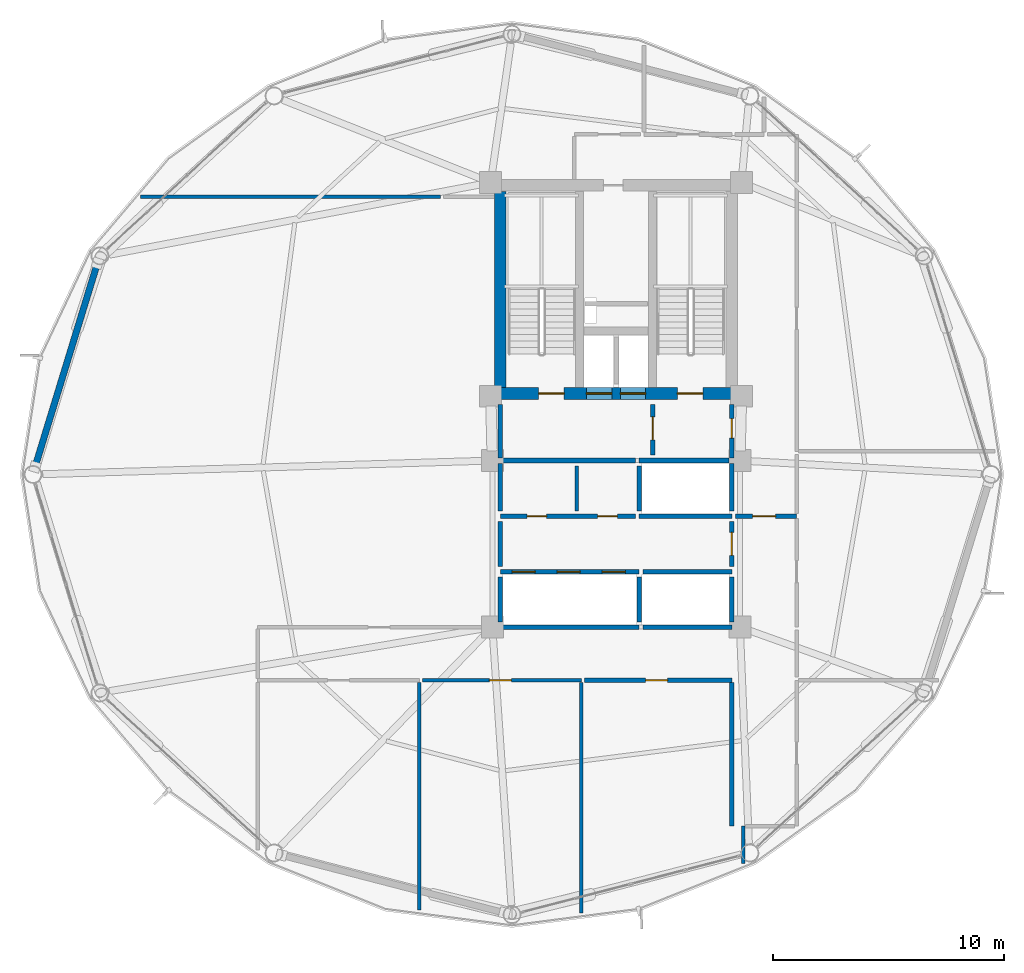
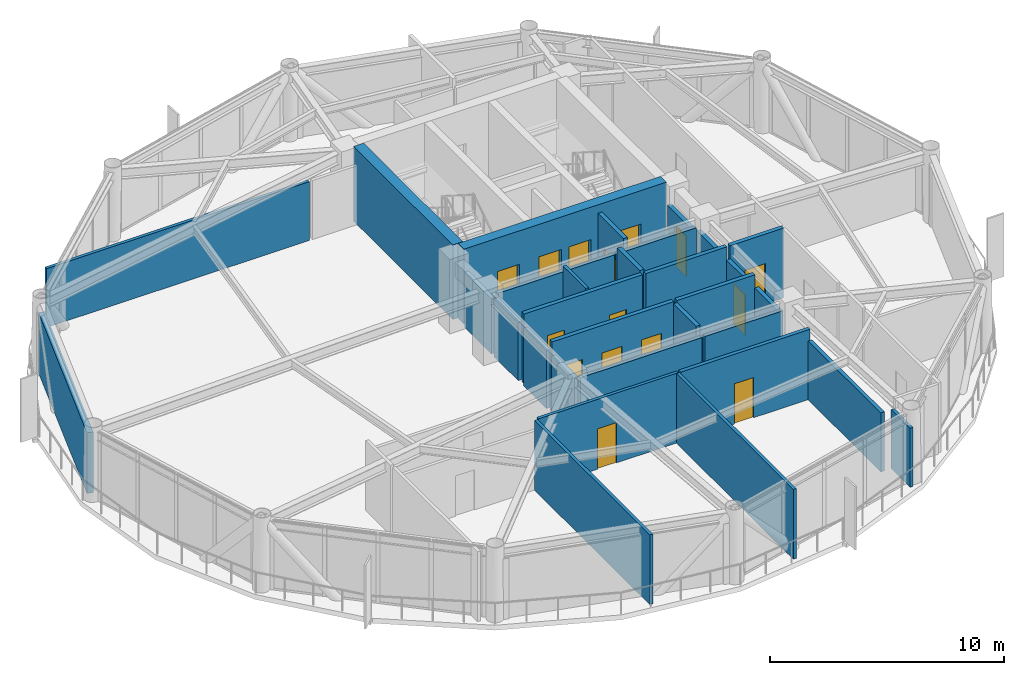
# One storey, part 22 of 26: 31 walls, 15 doors, 15 openings.
"""IFC4 building model written with IfcOpenShell, lengths in metres."""

from ifc_helpers import new_model, si_unit, direction, frame, frame_2d, origin, place, context, subcontext, project, spatial, rectangle, extrude, material, layer, layer_set, type_object, element, fill, save


model = new_model("IFC4")

# Units and contexts
model_context = context("Model", 3, precision=1e-05, world=origin(), true_north=direction((0.0, 1.0)))
body_context = subcontext(model_context, "Body", "Model", "MODEL_VIEW")
ifc_project = project(units=[si_unit("LENGTHUNIT", "METRE"), si_unit("AREAUNIT", "SQUARE_METRE"), si_unit("VOLUMEUNIT", "CUBIC_METRE"), si_unit("PLANEANGLEUNIT", "RADIAN"), si_unit("MASSUNIT", "GRAM", prefix="KILO")], contexts=[model_context])

# Site, building, storey
site_placement = place(None, origin())
site = spatial("IfcSite", under=ifc_project, at=site_placement, CompositionType="ELEMENT")
building_placement = place(site_placement, origin())
building = spatial("IfcBuilding", under=site, at=building_placement, Name="Varnakorn Sky Granary", CompositionType="ELEMENT")
storey_placement = place(building_placement, frame((0.0, 0.0, 153.89990234375)))
storey = spatial("IfcBuildingStorey", under=building, at=storey_placement, Name="L38", CompositionType="ELEMENT", Elevation=153.89990234375)

# Wall, openings, doors
ifc_material_1 = material(Name="Concrete C60/75", Category="concrete")
ifc_layer_1 = layer(ifc_material_1, 0.5, Name="Concrete C60/75")
ifc_layer_set_1 = layer_set([ifc_layer_1], Name="Concrete C60/75")
wall_type_1 = type_object("IfcWallType", Name="WT-CW-SHEAR-500", PredefinedType="SHEAR", material=ifc_layer_set_1)
wall_1_placement = place(storey_placement, frame((-2.0, 3.5, 0.0), z_axis=(0.0, 0.0, 1.0), x_axis=(1.0, 0.0, 0.0)))
wall_1 = element("IfcWall", 1, at=wall_1_placement, inside=storey, type_object=wall_type_1, Name="Core South Shear Wall L38", PredefinedType="SHEAR", context=body_context, shape_type="SweptSolid", body=[
    extrude(rectangle(XDim=10.0, YDim=0.5, at=frame_2d((5.0, 0.0))), origin(), (0.0, 0.0, 1.0), 3.89208984375),
])
opening_1_placement = place(wall_1_placement, frame((1.64990234375, 0.0, 0.0)))
opening_1 = element("IfcOpeningElement", 2, at=opening_1_placement, cuts=wall_1, Name="Opening FD-90", PredefinedType="OPENING", context=body_context, shape_type="SweptSolid", body=[
    extrude(rectangle(XDim=1.10009765625, YDim=2.14990234375, at=frame_2d((0.550048828125, 1.074951171875))), frame((0.0, 0.260009765625, 0.0), z_axis=(0.0, -1.0, 0.0), x_axis=(1.0, 0.0, 0.0)), (0.0, 0.0, 1.0), 0.52001953125),
])
opening_2_placement = place(wall_1_placement, frame((7.64990234375, 0.0, 0.0)))
opening_2 = element("IfcOpeningElement", 3, at=opening_2_placement, cuts=wall_1, Name="Opening FD-90", PredefinedType="OPENING", context=body_context, shape_type="SweptSolid", body=[
    extrude(rectangle(XDim=1.10009765625, YDim=2.14990234375, at=frame_2d((0.550048828125, 1.074951171875))), frame((0.0, 0.260009765625, 0.0), z_axis=(0.0, -1.0, 0.0), x_axis=(1.0, 0.0, 0.0)), (0.0, 0.0, 1.0), 0.52001953125),
])
opening_3_placement = place(wall_1_placement, frame((3.719970703125, 0.0, 0.0)))
opening_3 = element("IfcOpeningElement", 4, at=opening_3_placement, cuts=wall_1, Name="Opening LD-01", PredefinedType="OPENING", context=body_context, shape_type="SweptSolid", body=[
    extrude(rectangle(XDim=1.10009765625, YDim=2.199951171875, at=frame_2d((0.550048828125, 1.10009765625))), frame((0.0, 0.260009765625, 0.0), z_axis=(0.0, -1.0, 0.0), x_axis=(1.0, 0.0, 0.0)), (0.0, 0.0, 1.0), 0.52001953125),
])
opening_4_placement = place(wall_1_placement, frame((5.179931640625, 0.0, 0.0)))
opening_4 = element("IfcOpeningElement", 5, at=opening_4_placement, cuts=wall_1, Name="Opening LD-01", PredefinedType="OPENING", context=body_context, shape_type="SweptSolid", body=[
    extrude(rectangle(XDim=1.10009765625, YDim=2.199951171875, at=frame_2d((0.550048828125, 1.10009765625))), frame((0.0, 0.260009765625, 0.0), z_axis=(0.0, -1.0, 0.0), x_axis=(1.0, 0.0, 0.0)), (0.0, 0.0, 1.0), 0.52001953125),
])
ifc_material_2 = material(Name="Brushed Bronze Stainless Steel", Category="steel")
door_type_1 = type_object("IfcDoorType", Name="DR-LD-1100", OperationType="DOUBLE_DOOR_SLIDING", PredefinedType="DOOR", material=ifc_material_2)
door_1_placement = place(opening_3_placement, origin())
door_1 = element("IfcDoor", 6, at=door_1_placement, inside=storey, type_object=door_type_1, Name="Firefighting Lift FFL-1 Landing Door L38", OperationType="DOUBLE_DOOR_SLIDING", OverallHeight=2.199951171875, OverallWidth=1.10009765625, PredefinedType="DOOR", context=body_context, shape_type="SweptSolid", body=[
    extrude(rectangle(XDim=1.10009765625, YDim=2.199951171875, at=frame_2d((0.550048828125, 1.10009765625))), frame((0.0, 0.02490234375, 0.0), z_axis=(0.0, -1.0, 0.0), x_axis=(1.0, 0.0, 0.0)), (0.0, 0.0, 1.0), 0.050048828125),
])
fill(opening_3, door_1)
door_2_placement = place(opening_4_placement, origin())
door_2 = element("IfcDoor", 7, at=door_2_placement, inside=storey, type_object=door_type_1, Name="Firefighting Lift FFL-2 Landing Door L38", OperationType="DOUBLE_DOOR_SLIDING", OverallHeight=2.199951171875, OverallWidth=1.10009765625, PredefinedType="DOOR", context=body_context, shape_type="SweptSolid", body=[
    extrude(rectangle(XDim=1.10009765625, YDim=2.199951171875, at=frame_2d((0.550048828125, 1.10009765625))), frame((0.0, 0.02490234375, 0.0), z_axis=(0.0, -1.0, 0.0), x_axis=(1.0, 0.0, 0.0)), (0.0, 0.0, 1.0), 0.050048828125),
])
fill(opening_4, door_2)
ifc_material_3 = material(Name="Galvanised Painted Steel Leaf", Category="steel")
door_type_2 = type_object("IfcDoorType", Name="DR-STAIR-1100", OperationType="NOTDEFINED", PredefinedType="DOOR", material=ifc_material_3)
door_3_placement = place(opening_1_placement, origin())
door_3 = element("IfcDoor", 8, at=door_3_placement, inside=storey, type_object=door_type_2, Name="Stair ST-1 Protected Fire Door L38", OperationType="SINGLE_SWING_LEFT", OverallHeight=2.14990234375, OverallWidth=1.10009765625, PredefinedType="DOOR", context=body_context, shape_type="SweptSolid", body=[
    extrude(rectangle(XDim=1.10009765625, YDim=2.14990234375, at=frame_2d((0.550048828125, 1.074951171875))), frame((0.0, 0.02490234375, 0.0), z_axis=(0.0, -1.0, 0.0), x_axis=(1.0, 0.0, 0.0)), (0.0, 0.0, 1.0), 0.050048828125),
])
fill(opening_1, door_3)
door_4_placement = place(opening_2_placement, origin())
door_4 = element("IfcDoor", 9, at=door_4_placement, inside=storey, type_object=door_type_2, Name="Stair ST-2 Protected Fire Door L38", OperationType="SINGLE_SWING_RIGHT", OverallHeight=2.14990234375, OverallWidth=1.10009765625, PredefinedType="DOOR", context=body_context, shape_type="SweptSolid", body=[
    extrude(rectangle(XDim=1.10009765625, YDim=2.14990234375, at=frame_2d((0.550048828125, 1.074951171875))), frame((0.0, 0.02490234375, 0.0), z_axis=(0.0, -1.0, 0.0), x_axis=(1.0, 0.0, 0.0)), (0.0, 0.0, 1.0), 0.050048828125),
])
fill(opening_2, door_4)

# Walls
wall_2_placement = place(storey_placement, frame((-2.0, 3.760009765625, 0.0), z_axis=(0.0, 0.0, 1.0), x_axis=(0.0, 1.0, 0.0)))
element("IfcWall", 10, at=wall_2_placement, inside=storey, type_object=wall_type_1, Name="Core West Shear Wall L38", PredefinedType="SHEAR", context=body_context, shape_type="SweptSolid", body=[
    extrude(rectangle(XDim=8.47998046875, YDim=0.5, at=frame_2d((4.239990234375, 0.0))), origin(), (0.0, 0.0, 1.0), 3.89208984375),
])
ifc_material_4 = material(Name="Precast concrete C40/50", Category="concrete")
ifc_layer_2 = layer(ifc_material_4, 0.280029296875, Name="Precast concrete C40/50")
ifc_layer_set_2 = layer_set([ifc_layer_2], Name="Precast concrete C40/50")
wall_type_2 = type_object("IfcWallType", Name="WT-EW-CRN-280", PredefinedType="SOLIDWALL", material=ifc_layer_set_2)
wall_3_placement = place(storey_placement, frame((-22.11865234375, 0.3212890625, 0.0), z_axis=(0.0, 0.0, 1.0), x_axis=(0.292606970672, 0.956232796297, 0.0)))
element("IfcWall", 11, at=wall_3_placement, inside=storey, type_object=wall_type_2, Name="Agritech Insulated Precast Facade Wall L38-P06", PredefinedType="SOLIDWALL", context=body_context, shape_type="SweptSolid", body=[
    extrude(rectangle(XDim=9.213134765625, YDim=0.280029296875, at=frame_2d((4.6064453125, 0.0))), origin(), (0.0, 0.0, 1.0), 3.16015625),
])

# Wall, opening, door
ifc_material_5 = material(Name="Autoclaved Aerated Concrete Blockwork", Category="masonry")
ifc_layer_3 = layer(ifc_material_5, 0.199951171875, Name="Autoclaved Aerated Concrete Blockwork")
ifc_layer_set_3 = layer_set([ifc_layer_3], Name="Autoclaved Aerated Concrete Blockwork")
wall_type_3 = type_object("IfcWallType", Name="WT-FIRE-200", PredefinedType="MOVABLE", material=ifc_layer_set_3)
wall_4_placement = place(storey_placement, frame((4.580078125, 0.830078125, 0.0), z_axis=(0.0, 0.0, 1.0), x_axis=(0.0, 1.0, 0.0)))
wall_4 = element("IfcWall", 12, at=wall_4_placement, inside=storey, type_object=wall_type_3, Name="Interior Partition Wall L38-014", PredefinedType="MOVABLE", context=body_context, shape_type="SweptSolid", body=[
    extrude(rectangle(XDim=2.18994140625, YDim=0.199951171875, at=frame_2d((1.094970703125, 0.0))), origin(), (0.0, 0.0, 1.0), 3.64013671875),
])
opening_5_placement = place(wall_4_placement, frame((0.659912109375, 0.0, 0.0)))
opening_5 = element("IfcOpeningElement", 13, at=opening_5_placement, cuts=wall_4, Name="Opening FD-60", PredefinedType="OPENING", context=body_context, shape_type="SweptSolid", body=[
    extrude(rectangle(XDim=1.0, YDim=2.10009765625, at=frame_2d((0.5, 1.050048828125))), frame((0.0, 0.10986328125, 0.0), z_axis=(0.0, -1.0, 0.0), x_axis=(1.0, 0.0, 0.0)), (0.0, 0.0, 1.0), 0.219970703125),
])
ifc_material_6 = material(Name="Acoustic Timber Fire Leaf", Category="wood")
door_type_3 = type_object("IfcDoorType", Name="DR-FD60-1000", OperationType="NOTDEFINED", PredefinedType="DOOR", material=ifc_material_6)
door_5_placement = place(opening_5_placement, origin())
door_5 = element("IfcDoor", 14, at=door_5_placement, inside=storey, type_object=door_type_3, Name="Interior Door L38-014-1", OperationType="SINGLE_SWING_LEFT", OverallHeight=2.10009765625, OverallWidth=1.0, PredefinedType="DOOR", context=body_context, shape_type="SweptSolid", body=[
    extrude(rectangle(XDim=1.0, YDim=2.10009765625, at=frame_2d((0.5, 1.050048828125))), frame((0.0, 0.02490234375, 0.0), z_axis=(0.0, -1.0, 0.0), x_axis=(1.0, 0.0, 0.0)), (0.0, 0.0, 1.0), 0.050048828125),
])
fill(opening_5, door_5)

wall_5_placement = place(storey_placement, frame((8.0, 0.719970703125, 0.0), z_axis=(0.0, 0.0, 1.0), x_axis=(0.0, 1.0, 0.0)))
wall_5 = element("IfcWall", 15, at=wall_5_placement, inside=storey, type_object=wall_type_3, Name="Interior Partition Wall L38-015", PredefinedType="MOVABLE", context=body_context, shape_type="SweptSolid", body=[
    extrude(rectangle(XDim=2.300048828125, YDim=0.199951171875, at=frame_2d((1.14990234375, 0.0))), origin(), (0.0, 0.0, 1.0), 2.8720703125),
])
opening_6_placement = place(wall_5_placement, frame((0.844970703125, 0.0, 0.0)))
opening_6 = element("IfcOpeningElement", 16, at=opening_6_placement, cuts=wall_5, Name="Opening FD-60N", PredefinedType="OPENING", context=body_context, shape_type="SweptSolid", body=[
    extrude(rectangle(XDim=0.85009765625, YDim=2.10009765625, at=frame_2d((0.425048828125, 1.050048828125))), frame((0.0, 0.10986328125, 0.0), z_axis=(0.0, -1.0, 0.0), x_axis=(1.0, 0.0, 0.0)), (0.0, 0.0, 1.0), 0.219970703125),
])
door_type_4 = type_object("IfcDoorType", Name="DR-FD60-850", OperationType="NOTDEFINED", PredefinedType="DOOR", material=ifc_material_6)
door_6_placement = place(opening_6_placement, origin())
door_6 = element("IfcDoor", 17, at=door_6_placement, inside=storey, type_object=door_type_4, Name="Interior Door L38-015-1", OperationType="SINGLE_SWING_RIGHT", OverallHeight=2.10009765625, OverallWidth=0.85009765625, PredefinedType="DOOR", context=body_context, shape_type="SweptSolid", body=[
    extrude(rectangle(XDim=0.85009765625, YDim=2.10009765625, at=frame_2d((0.425048828125, 1.050048828125))), frame((0.0, 0.02490234375, 0.0), z_axis=(0.0, -1.0, 0.0), x_axis=(1.0, 0.0, 0.0)), (0.0, 0.0, 1.0), 0.050048828125),
])
fill(opening_6, door_6)

wall_6_placement = place(storey_placement, frame((8.0, -3.969970703125, 0.0), z_axis=(0.0, 0.0, 1.0), x_axis=(0.0, 1.0, 0.0)))
wall_6 = element("IfcWall", 18, at=wall_6_placement, inside=storey, type_object=wall_type_3, Name="Interior Partition Wall L38-016", PredefinedType="MOVABLE", context=body_context, shape_type="SweptSolid", body=[
    extrude(rectangle(XDim=1.93994140625, YDim=0.199951171875, at=frame_2d((0.969970703125, 0.0))), origin(), (0.0, 0.0, 1.0), 3.072021484375),
])
opening_7_placement = place(wall_6_placement, frame((0.469970703125, 0.0, 0.0)))
opening_7 = element("IfcOpeningElement", 19, at=opening_7_placement, cuts=wall_6, Name="Opening FD-60", PredefinedType="OPENING", context=body_context, shape_type="SweptSolid", body=[
    extrude(rectangle(XDim=1.0, YDim=2.10009765625, at=frame_2d((0.5, 1.050048828125))), frame((0.0, 0.10986328125, 0.0), z_axis=(0.0, -1.0, 0.0), x_axis=(1.0, 0.0, 0.0)), (0.0, 0.0, 1.0), 0.219970703125),
])
door_7_placement = place(opening_7_placement, origin())
door_7 = element("IfcDoor", 20, at=door_7_placement, inside=storey, type_object=door_type_3, Name="Interior Door L38-016-1", OperationType="SINGLE_SWING_LEFT", OverallHeight=2.10009765625, OverallWidth=1.0, PredefinedType="DOOR", context=body_context, shape_type="SweptSolid", body=[
    extrude(rectangle(XDim=1.0, YDim=2.10009765625, at=frame_2d((0.5, 1.050048828125))), frame((0.0, 0.02490234375, 0.0), z_axis=(0.0, -1.0, 0.0), x_axis=(1.0, 0.0, 0.0)), (0.0, 0.0, 1.0), 0.050048828125),
])
fill(opening_7, door_7)

# Wall, openings, doors
wall_7_placement = place(storey_placement, frame((-2.0, -1.800048828125, 0.0), z_axis=(0.0, 0.0, 1.0), x_axis=(1.0, 0.0, 0.0)))
wall_7 = element("IfcWall", 21, at=wall_7_placement, inside=storey, type_object=wall_type_3, Name="Interior Partition Wall L38-017", PredefinedType="MOVABLE", context=body_context, shape_type="SweptSolid", body=[
    extrude(rectangle(XDim=5.840087890625, YDim=0.199951171875, at=frame_2d((2.919921875, 0.0))), origin(), (0.0, 0.0, 1.0), 3.64013671875),
])
opening_8_placement = place(wall_7_placement, frame((1.14990234375, 0.0, 0.0)))
opening_8 = element("IfcOpeningElement", 22, at=opening_8_placement, cuts=wall_7, Name="Opening FD-60N", PredefinedType="OPENING", context=body_context, shape_type="SweptSolid", body=[
    extrude(rectangle(XDim=0.85009765625, YDim=2.10009765625, at=frame_2d((0.425048828125, 1.050048828125))), frame((0.0, 0.10986328125, 0.0), z_axis=(0.0, -1.0, 0.0), x_axis=(1.0, 0.0, 0.0)), (0.0, 0.0, 1.0), 0.219970703125),
])
opening_9_placement = place(wall_7_placement, frame((4.199951171875, 0.0, 0.0)))
opening_9 = element("IfcOpeningElement", 23, at=opening_9_placement, cuts=wall_7, Name="Opening FD-60N", PredefinedType="OPENING", context=body_context, shape_type="SweptSolid", body=[
    extrude(rectangle(XDim=0.85009765625, YDim=2.10009765625, at=frame_2d((0.425048828125, 1.050048828125))), frame((0.0, 0.10986328125, 0.0), z_axis=(0.0, -1.0, 0.0), x_axis=(1.0, 0.0, 0.0)), (0.0, 0.0, 1.0), 0.219970703125),
])
door_8_placement = place(opening_8_placement, origin())
door_8 = element("IfcDoor", 24, at=door_8_placement, inside=storey, type_object=door_type_4, Name="Interior Door L38-017-1", OperationType="SINGLE_SWING_RIGHT", OverallHeight=2.10009765625, OverallWidth=0.85009765625, PredefinedType="DOOR", context=body_context, shape_type="SweptSolid", body=[
    extrude(rectangle(XDim=0.85009765625, YDim=2.10009765625, at=frame_2d((0.425048828125, 1.050048828125))), frame((0.0, 0.02490234375, 0.0), z_axis=(0.0, -1.0, 0.0), x_axis=(1.0, 0.0, 0.0)), (0.0, 0.0, 1.0), 0.050048828125),
])
fill(opening_8, door_8)
door_9_placement = place(opening_9_placement, origin())
door_9 = element("IfcDoor", 25, at=door_9_placement, inside=storey, type_object=door_type_4, Name="Interior Door L38-017-2", OperationType="SINGLE_SWING_LEFT", OverallHeight=2.10009765625, OverallWidth=0.85009765625, PredefinedType="DOOR", context=body_context, shape_type="SweptSolid", body=[
    extrude(rectangle(XDim=0.85009765625, YDim=2.10009765625, at=frame_2d((0.425048828125, 1.050048828125))), frame((0.0, 0.02490234375, 0.0), z_axis=(0.0, -1.0, 0.0), x_axis=(1.0, 0.0, 0.0)), (0.0, 0.0, 1.0), 0.050048828125),
])
fill(opening_9, door_9)

# Wall, opening, door
wall_8_placement = place(storey_placement, frame((8.159912109375, -1.800048828125, 0.0), z_axis=(0.0, 0.0, 1.0), x_axis=(1.0, 0.0, 0.0)))
wall_8 = element("IfcWall", 26, at=wall_8_placement, inside=storey, type_object=wall_type_3, Name="Interior Partition Wall L38-018", PredefinedType="MOVABLE", context=body_context, shape_type="SweptSolid", body=[
    extrude(rectangle(XDim=2.64013671875, YDim=0.199951171875, at=frame_2d((1.320068359375, 0.0))), origin(), (0.0, 0.0, 1.0), 3.64013671875),
])
opening_10_placement = place(wall_8_placement, frame((0.739990234375, 0.0, 0.0)))
opening_10 = element("IfcOpeningElement", 27, at=opening_10_placement, cuts=wall_8, Name="Opening FD-60", PredefinedType="OPENING", context=body_context, shape_type="SweptSolid", body=[
    extrude(rectangle(XDim=1.0, YDim=2.10009765625, at=frame_2d((0.5, 1.050048828125))), frame((0.0, 0.10986328125, 0.0), z_axis=(0.0, -1.0, 0.0), x_axis=(1.0, 0.0, 0.0)), (0.0, 0.0, 1.0), 0.219970703125),
])
door_10_placement = place(opening_10_placement, origin())
door_10 = element("IfcDoor", 28, at=door_10_placement, inside=storey, type_object=door_type_3, Name="Interior Door L38-018-1", OperationType="SINGLE_SWING_RIGHT", OverallHeight=2.10009765625, OverallWidth=1.0, PredefinedType="DOOR", context=body_context, shape_type="SweptSolid", body=[
    extrude(rectangle(XDim=1.0, YDim=2.10009765625, at=frame_2d((0.5, 1.050048828125))), frame((0.0, 0.02490234375, 0.0), z_axis=(0.0, -1.0, 0.0), x_axis=(1.0, 0.0, 0.0)), (0.0, 0.0, 1.0), 0.050048828125),
])
fill(opening_10, door_10)

# Walls
wall_9_placement = place(storey_placement, frame((-1.8798828125, 0.60009765625, 0.0), z_axis=(0.0, 0.0, 1.0), x_axis=(1.0, 0.0, 0.0)))
element("IfcWall", 29, at=wall_9_placement, inside=storey, type_object=wall_type_3, Name="Interior Partition Wall L38-028", PredefinedType="MOVABLE", context=body_context, shape_type="SweptSolid", body=[
    extrude(rectangle(XDim=5.719970703125, YDim=0.199951171875, at=frame_2d((2.85986328125, 0.0))), origin(), (0.0, 0.0, 1.0), 3.22216796875),
])
wall_10_placement = place(storey_placement, frame((-2.0, 0.719970703125, 0.0), z_axis=(0.0, 0.0, 1.0), x_axis=(0.0, 1.0, 0.0)))
element("IfcWall", 30, at=wall_10_placement, inside=storey, type_object=wall_type_3, Name="Interior Partition Wall L38-029", PredefinedType="MOVABLE", context=body_context, shape_type="SweptSolid", body=[
    extrude(rectangle(XDim=2.300048828125, YDim=0.199951171875, at=frame_2d((1.14990234375, 0.0))), origin(), (0.0, 0.0, 1.0), 2.8720703125),
])
wall_11_placement = place(storey_placement, frame((-2.0, -3.969970703125, 0.0), z_axis=(0.0, 0.0, 1.0), x_axis=(0.0, 1.0, 0.0)))
element("IfcWall", 31, at=wall_11_placement, inside=storey, type_object=wall_type_3, Name="Interior Partition Wall L38-030", PredefinedType="MOVABLE", context=body_context, shape_type="SweptSolid", body=[
    extrude(rectangle(XDim=1.93994140625, YDim=0.199951171875, at=frame_2d((0.969970703125, 0.0))), origin(), (0.0, 0.0, 1.0), 3.022216796875),
])
wall_12_placement = place(storey_placement, frame((-2.0, -1.570068359375, 0.0), z_axis=(0.0, 0.0, 1.0), x_axis=(0.0, 1.0, 0.0)))
element("IfcWall", 32, at=wall_12_placement, inside=storey, type_object=wall_type_3, Name="Interior Partition Wall L38-032", PredefinedType="MOVABLE", context=body_context, shape_type="SweptSolid", body=[
    extrude(rectangle(XDim=2.050048828125, YDim=0.199951171875, at=frame_2d((1.02490234375, 0.0))), origin(), (0.0, 0.0, 1.0), 3.022216796875),
])

# Wall, opening, door
ifc_material_7 = material(Name="Gypsum Plasterboard on Steel Stud", Category="steel")
ifc_layer_4 = layer(ifc_material_7, 0.14990234375, Name="Gypsum Plasterboard on Steel Stud")
ifc_layer_set_4 = layer_set([ifc_layer_4], Name="Gypsum Plasterboard on Steel Stud")
wall_type_4 = type_object("IfcWallType", Name="WT-PART-150", PredefinedType="PARTITIONING", material=ifc_layer_set_4)
wall_13_placement = place(storey_placement, frame((-5.364990234375, -8.89990234375, 0.0), z_axis=(0.0, 0.0, 1.0), x_axis=(1.0, 0.0, 0.0)))
wall_13 = element("IfcWall", 33, at=wall_13_placement, inside=storey, type_object=wall_type_4, Name="Interior Partition Wall L38-021", PredefinedType="PARTITIONING", context=body_context, shape_type="SweptSolid", body=[
    extrude(rectangle(XDim=6.864990234375, YDim=0.14990234375, at=frame_2d((3.4326171875, 0.0))), origin(), (0.0, 0.0, 1.0), 3.64013671875),
])
opening_11_placement = place(wall_13_placement, frame((2.889892578125, 0.0, 0.0)))
opening_11 = element("IfcOpeningElement", 34, at=opening_11_placement, cuts=wall_13, Name="Opening ID-95", PredefinedType="OPENING", context=body_context, shape_type="SweptSolid", body=[
    extrude(rectangle(XDim=0.949951171875, YDim=2.10009765625, at=frame_2d((0.47509765625, 1.050048828125))), frame((0.0, 0.0849609375, 0.0), z_axis=(0.0, -1.0, 0.0), x_axis=(1.0, 0.0, 0.0)), (0.0, 0.0, 1.0), 0.169921875),
])
ifc_material_8 = material(Name="Solid-Core Teak Veneer Leaf", Category="timber")
door_type_5 = type_object("IfcDoorType", Name="DR-INT-950", OperationType="NOTDEFINED", PredefinedType="DOOR", material=ifc_material_8)
door_11_placement = place(opening_11_placement, origin())
door_11 = element("IfcDoor", 35, at=door_11_placement, inside=storey, type_object=door_type_5, Name="Interior Door L38-021-1", OperationType="SINGLE_SWING_LEFT", OverallHeight=2.10009765625, OverallWidth=0.949951171875, PredefinedType="DOOR", context=body_context, shape_type="SweptSolid", body=[
    extrude(rectangle(XDim=0.949951171875, YDim=2.10009765625, at=frame_2d((0.47509765625, 1.050048828125))), frame((0.0, 0.02490234375, 0.0), z_axis=(0.0, -1.0, 0.0), x_axis=(1.0, 0.0, 0.0)), (0.0, 0.0, 1.0), 0.050048828125),
])
fill(opening_11, door_11)

# Walls
wall_14_placement = place(storey_placement, frame((1.300048828125, -1.570068359375, 0.0), z_axis=(0.0, 0.0, 1.0), x_axis=(0.0, 1.0, 0.0)))
element("IfcWall", 36, at=wall_14_placement, inside=storey, type_object=wall_type_4, Name="Interior Partition Wall L38-031", PredefinedType="PARTITIONING", context=body_context, shape_type="SweptSolid", body=[
    extrude(rectangle(XDim=1.940185546875, YDim=0.14990234375, at=frame_2d((0.97021484375, 0.0))), origin(), (0.0, 0.0, 1.0), 3.64013671875),
])
wall_15_placement = place(storey_placement, frame((-5.5, -8.985107421875, 0.0), z_axis=(0.0, 0.0, 1.0), x_axis=(0.0, -1.0, 0.0)))
element("IfcWall", 37, at=wall_15_placement, inside=storey, type_object=wall_type_4, Name="Interior Partition Wall L38-034", PredefinedType="PARTITIONING", context=body_context, shape_type="SweptSolid", body=[
    extrude(rectangle(XDim=9.846923828125, YDim=0.14990234375, at=frame_2d((4.92333984375, 0.0))), origin(), (0.0, 0.0, 1.0), 3.64013671875),
])
wall_16_placement = place(storey_placement, frame((1.5, -8.985107421875, 0.0), z_axis=(0.0, 0.0, 1.0), x_axis=(0.0, -1.0, 0.0)))
element("IfcWall", 38, at=wall_16_placement, inside=storey, type_object=wall_type_4, Name="Interior Partition Wall L38-036", PredefinedType="PARTITIONING", context=body_context, shape_type="SweptSolid", body=[
    extrude(rectangle(XDim=9.976806640625, YDim=0.14990234375, at=frame_2d((4.98828125, 0.0))), origin(), (0.0, 0.0, 1.0), 3.64013671875),
])
wall_17_placement = place(storey_placement, frame((8.5, -15.199951171875, 0.0), z_axis=(0.0, 0.0, 1.0), x_axis=(0.0, -1.0, 0.0)))
element("IfcWall", 39, at=wall_17_placement, inside=storey, type_object=wall_type_4, Name="Interior Partition Wall L38-038", PredefinedType="PARTITIONING", context=body_context, shape_type="SweptSolid", body=[
    extrude(rectangle(XDim=1.619140625, YDim=0.14990234375, at=frame_2d((0.8095703125, 0.0))), origin(), (0.0, 0.0, 1.0), 3.072021484375),
])
wall_18_placement = place(storey_placement, frame((-17.56201171875, 12.0, 0.0), z_axis=(0.0, 0.0, 1.0), x_axis=(1.0, 0.0, 0.0)))
element("IfcWall", 40, at=wall_18_placement, inside=storey, type_object=wall_type_4, Name="Interior Partition Wall L38-042", PredefinedType="PARTITIONING", context=body_context, shape_type="SweptSolid", body=[
    extrude(rectangle(XDim=12.9619140625, YDim=0.14990234375, at=frame_2d((6.48095703125, 0.0))), origin(), (0.0, 0.0, 1.0), 3.072021484375),
])

# Wall, opening, door
ifc_material_9 = material(Name="Moisture-Resistant Gypsum on Stud", Category="gypsum")
ifc_layer_5 = layer(ifc_material_9, 0.179931640625, Name="Moisture-Resistant Gypsum on Stud")
ifc_layer_set_5 = layer_set([ifc_layer_5], Name="Moisture-Resistant Gypsum on Stud")
wall_type_5 = type_object("IfcWallType", Name="WT-PLUMB-180", PredefinedType="PLUMBINGWALL", material=ifc_layer_set_5)
wall_19_placement = place(storey_placement, frame((1.635009765625, -8.89990234375, 0.0), z_axis=(0.0, 0.0, 1.0), x_axis=(1.0, 0.0, 0.0)))
wall_19 = element("IfcWall", 41, at=wall_19_placement, inside=storey, type_object=wall_type_5, Name="Interior Partition Wall L38-022", PredefinedType="PLUMBINGWALL", context=body_context, shape_type="SweptSolid", body=[
    extrude(rectangle(XDim=6.364990234375, YDim=0.179931640625, at=frame_2d((3.1826171875, 0.0))), origin(), (0.0, 0.0, 1.0), 3.64013671875),
])
opening_12_placement = place(wall_19_placement, frame((2.639892578125, 0.0, 0.0)))
opening_12 = element("IfcOpeningElement", 42, at=opening_12_placement, cuts=wall_19, Name="Opening ID-95", PredefinedType="OPENING", context=body_context, shape_type="SweptSolid", body=[
    extrude(rectangle(XDim=0.949951171875, YDim=2.10009765625, at=frame_2d((0.47509765625, 1.050048828125))), frame((0.0, 0.10009765625, 0.0), z_axis=(0.0, -1.0, 0.0), x_axis=(1.0, 0.0, 0.0)), (0.0, 0.0, 1.0), 0.199951171875),
])
door_12_placement = place(opening_12_placement, origin())
door_12 = element("IfcDoor", 43, at=door_12_placement, inside=storey, type_object=door_type_5, Name="Interior Door L38-022-1", OperationType="SINGLE_SWING_RIGHT", OverallHeight=2.10009765625, OverallWidth=0.949951171875, PredefinedType="DOOR", context=body_context, shape_type="SweptSolid", body=[
    extrude(rectangle(XDim=0.949951171875, YDim=2.10009765625, at=frame_2d((0.47509765625, 1.050048828125))), frame((0.0, 0.02490234375, 0.0), z_axis=(0.0, -1.0, 0.0), x_axis=(1.0, 0.0, 0.0)), (0.0, 0.0, 1.0), 0.050048828125),
])
fill(opening_12, door_12)

# Walls
wall_20_placement = place(storey_placement, frame((8.0, -9.0, 0.0), z_axis=(0.0, 0.0, 1.0), x_axis=(0.0, -1.0, 0.0)))
element("IfcWall", 44, at=wall_20_placement, inside=storey, type_object=wall_type_5, Name="Interior Partition Wall L38-037", PredefinedType="PLUMBINGWALL", context=body_context, shape_type="SweptSolid", body=[
    extrude(rectangle(XDim=6.199951171875, YDim=0.179931640625, at=frame_2d((3.10009765625, 0.0))), origin(), (0.0, 0.0, 1.0), 3.072021484375),
])
ifc_layer_6 = layer(ifc_material_5, 0.199951171875, Name="Autoclaved Aerated Concrete Blockwork")
ifc_layer_set_6 = layer_set([ifc_layer_6], Name="Autoclaved Aerated Concrete Blockwork")
wall_type_6 = type_object("IfcWallType", Name="WT-SHAFT-200", PredefinedType="SOLIDWALL", material=ifc_layer_set_6)
wall_21_placement = place(storey_placement, frame((4.0, 0.60009765625, 0.0), z_axis=(0.0, 0.0, 1.0), x_axis=(1.0, 0.0, 0.0)))
element("IfcWall", 45, at=wall_21_placement, inside=storey, type_object=wall_type_6, Name="Interior Partition Wall L38-003", PredefinedType="SOLIDWALL", context=body_context, shape_type="SweptSolid", body=[
    extrude(rectangle(XDim=3.8798828125, YDim=0.199951171875, at=frame_2d((1.93994140625, 0.0))), origin(), (0.0, 0.0, 1.0), 3.22216796875),
])
wall_22_placement = place(storey_placement, frame((4.0, -1.800048828125, 0.0), z_axis=(0.0, 0.0, 1.0), x_axis=(1.0, 0.0, 0.0)))
element("IfcWall", 46, at=wall_22_placement, inside=storey, type_object=wall_type_6, Name="Interior Partition Wall L38-004", PredefinedType="SOLIDWALL", context=body_context, shape_type="SweptSolid", body=[
    extrude(rectangle(XDim=4.0, YDim=0.199951171875, at=frame_2d((2.0, 0.0))), origin(), (0.0, 0.0, 1.0), 3.64013671875),
])
wall_23_placement = place(storey_placement, frame((4.0, -1.570068359375, 0.0), z_axis=(0.0, 0.0, 1.0), x_axis=(0.0, 1.0, 0.0)))
element("IfcWall", 47, at=wall_23_placement, inside=storey, type_object=wall_type_6, Name="Interior Partition Wall L38-005", PredefinedType="SOLIDWALL", context=body_context, shape_type="SweptSolid", body=[
    extrude(rectangle(XDim=1.940185546875, YDim=0.199951171875, at=frame_2d((0.97021484375, 0.0))), origin(), (0.0, 0.0, 1.0), 3.64013671875),
])
wall_24_placement = place(storey_placement, frame((8.0, -1.570068359375, 0.0), z_axis=(0.0, 0.0, 1.0), x_axis=(0.0, 1.0, 0.0)))
element("IfcWall", 48, at=wall_24_placement, inside=storey, type_object=wall_type_6, Name="Interior Partition Wall L38-006", PredefinedType="SOLIDWALL", context=body_context, shape_type="SweptSolid", body=[
    extrude(rectangle(XDim=2.050048828125, YDim=0.199951171875, at=frame_2d((1.02490234375, 0.0))), origin(), (0.0, 0.0, 1.0), 3.072021484375),
])

# Wall, openings, doors
wall_25_placement = place(storey_placement, frame((-2.0, -4.199951171875, 0.0), z_axis=(0.0, 0.0, 1.0), x_axis=(1.0, 0.0, 0.0)))
wall_25 = element("IfcWall", 49, at=wall_25_placement, inside=storey, type_object=wall_type_6, Name="Interior Partition Wall L38-007", PredefinedType="SOLIDWALL", context=body_context, shape_type="SweptSolid", body=[
    extrude(rectangle(XDim=6.0, YDim=0.199951171875, at=frame_2d((3.0, 0.0))), origin(), (0.0, 0.0, 1.0), 3.64013671875),
])
opening_13_placement = place(wall_25_placement, frame((0.5, 0.0, 0.0)))
opening_13 = element("IfcOpeningElement", 50, at=opening_13_placement, cuts=wall_25, Name="Opening LD-03", PredefinedType="OPENING", context=body_context, shape_type="SweptSolid", body=[
    extrude(rectangle(XDim=1.0, YDim=2.199951171875, at=frame_2d((0.5, 1.10009765625))), frame((0.0, 0.10986328125, 0.0), z_axis=(0.0, -1.0, 0.0), x_axis=(1.0, 0.0, 0.0)), (0.0, 0.0, 1.0), 0.219970703125),
])
opening_14_placement = place(wall_25_placement, frame((2.449951171875, 0.0, 0.0)))
opening_14 = element("IfcOpeningElement", 51, at=opening_14_placement, cuts=wall_25, Name="Opening LD-03", PredefinedType="OPENING", context=body_context, shape_type="SweptSolid", body=[
    extrude(rectangle(XDim=1.0, YDim=2.199951171875, at=frame_2d((0.5, 1.10009765625))), frame((0.0, 0.10986328125, 0.0), z_axis=(0.0, -1.0, 0.0), x_axis=(1.0, 0.0, 0.0)), (0.0, 0.0, 1.0), 0.219970703125),
])
opening_15_placement = place(wall_25_placement, frame((4.39990234375, 0.0, 0.0)))
opening_15 = element("IfcOpeningElement", 52, at=opening_15_placement, cuts=wall_25, Name="Opening LD-03", PredefinedType="OPENING", context=body_context, shape_type="SweptSolid", body=[
    extrude(rectangle(XDim=1.0, YDim=2.199951171875, at=frame_2d((0.5, 1.10009765625))), frame((0.0, 0.10986328125, 0.0), z_axis=(0.0, -1.0, 0.0), x_axis=(1.0, 0.0, 0.0)), (0.0, 0.0, 1.0), 0.219970703125),
])
door_type_6 = type_object("IfcDoorType", Name="DR-LD-1000", OperationType="DOUBLE_DOOR_SLIDING", PredefinedType="DOOR", material=ifc_material_2)
door_13_placement = place(opening_13_placement, origin())
door_13 = element("IfcDoor", 53, at=door_13_placement, inside=storey, type_object=door_type_6, Name="Passenger Lift PL-M1 Sliding Landing Door L38", OperationType="DOUBLE_DOOR_SLIDING", OverallHeight=2.199951171875, OverallWidth=1.0, PredefinedType="DOOR", context=body_context, shape_type="SweptSolid", body=[
    extrude(rectangle(XDim=1.0, YDim=2.199951171875, at=frame_2d((0.5, 1.10009765625))), frame((0.0, 0.02490234375, 0.0), z_axis=(0.0, -1.0, 0.0), x_axis=(1.0, 0.0, 0.0)), (0.0, 0.0, 1.0), 0.050048828125),
])
fill(opening_13, door_13)
door_14_placement = place(opening_14_placement, origin())
door_14 = element("IfcDoor", 54, at=door_14_placement, inside=storey, type_object=door_type_6, Name="Passenger Lift PL-M2 Sliding Landing Door L38", OperationType="DOUBLE_DOOR_SLIDING", OverallHeight=2.199951171875, OverallWidth=1.0, PredefinedType="DOOR", context=body_context, shape_type="SweptSolid", body=[
    extrude(rectangle(XDim=1.0, YDim=2.199951171875, at=frame_2d((0.5, 1.10009765625))), frame((0.0, 0.02490234375, 0.0), z_axis=(0.0, -1.0, 0.0), x_axis=(1.0, 0.0, 0.0)), (0.0, 0.0, 1.0), 0.050048828125),
])
fill(opening_14, door_14)
door_15_placement = place(opening_15_placement, origin())
door_15 = element("IfcDoor", 55, at=door_15_placement, inside=storey, type_object=door_type_6, Name="Passenger Lift PL-M3 Sliding Landing Door L38", OperationType="DOUBLE_DOOR_SLIDING", OverallHeight=2.199951171875, OverallWidth=1.0, PredefinedType="DOOR", context=body_context, shape_type="SweptSolid", body=[
    extrude(rectangle(XDim=1.0, YDim=2.199951171875, at=frame_2d((0.5, 1.10009765625))), frame((0.0, 0.02490234375, 0.0), z_axis=(0.0, -1.0, 0.0), x_axis=(1.0, 0.0, 0.0)), (0.0, 0.0, 1.0), 0.050048828125),
])
fill(opening_15, door_15)

# Walls
wall_26_placement = place(storey_placement, frame((-2.0, -6.60009765625, 0.0), z_axis=(0.0, 0.0, 1.0), x_axis=(1.0, 0.0, 0.0)))
element("IfcWall", 56, at=wall_26_placement, inside=storey, type_object=wall_type_6, Name="Interior Partition Wall L38-008", PredefinedType="SOLIDWALL", context=body_context, shape_type="SweptSolid", body=[
    extrude(rectangle(XDim=6.0, YDim=0.199951171875, at=frame_2d((3.0, 0.0))), origin(), (0.0, 0.0, 1.0), 3.22216796875),
])
wall_27_placement = place(storey_placement, frame((-2.0, -6.3701171875, 0.0), z_axis=(0.0, 0.0, 1.0), x_axis=(0.0, 1.0, 0.0)))
element("IfcWall", 57, at=wall_27_placement, inside=storey, type_object=wall_type_6, Name="Interior Partition Wall L38-009", PredefinedType="SOLIDWALL", context=body_context, shape_type="SweptSolid", body=[
    extrude(rectangle(XDim=1.940185546875, YDim=0.199951171875, at=frame_2d((0.97021484375, 0.0))), origin(), (0.0, 0.0, 1.0), 3.022216796875),
])
wall_28_placement = place(storey_placement, frame((4.159912109375, -4.199951171875, 0.0), z_axis=(0.0, 0.0, 1.0), x_axis=(1.0, 0.0, 0.0)))
element("IfcWall", 58, at=wall_28_placement, inside=storey, type_object=wall_type_6, Name="Interior Partition Wall L38-010", PredefinedType="SOLIDWALL", context=body_context, shape_type="SweptSolid", body=[
    extrude(rectangle(XDim=3.840087890625, YDim=0.199951171875, at=frame_2d((1.919921875, 0.0))), origin(), (0.0, 0.0, 1.0), 3.64013671875),
])
wall_29_placement = place(storey_placement, frame((4.159912109375, -6.60009765625, 0.0), z_axis=(0.0, 0.0, 1.0), x_axis=(1.0, 0.0, 0.0)))
element("IfcWall", 59, at=wall_29_placement, inside=storey, type_object=wall_type_6, Name="Interior Partition Wall L38-011", PredefinedType="SOLIDWALL", context=body_context, shape_type="SweptSolid", body=[
    extrude(rectangle(XDim=3.840087890625, YDim=0.199951171875, at=frame_2d((1.919921875, 0.0))), origin(), (0.0, 0.0, 1.0), 3.22216796875),
])
wall_30_placement = place(storey_placement, frame((4.0, -6.3701171875, 0.0), z_axis=(0.0, 0.0, 1.0), x_axis=(0.0, 1.0, 0.0)))
element("IfcWall", 60, at=wall_30_placement, inside=storey, type_object=wall_type_6, Name="Interior Partition Wall L38-012", PredefinedType="SOLIDWALL", context=body_context, shape_type="SweptSolid", body=[
    extrude(rectangle(XDim=1.940185546875, YDim=0.199951171875, at=frame_2d((0.97021484375, 0.0))), origin(), (0.0, 0.0, 1.0), 3.64013671875),
])
wall_31_placement = place(storey_placement, frame((8.0, -6.3701171875, 0.0), z_axis=(0.0, 0.0, 1.0), x_axis=(0.0, 1.0, 0.0)))
element("IfcWall", 61, at=wall_31_placement, inside=storey, type_object=wall_type_6, Name="Interior Partition Wall L38-013", PredefinedType="SOLIDWALL", context=body_context, shape_type="SweptSolid", body=[
    extrude(rectangle(XDim=1.940185546875, YDim=0.199951171875, at=frame_2d((0.97021484375, 0.0))), origin(), (0.0, 0.0, 1.0), 3.072021484375),
])

save(model, "model.ifc")
